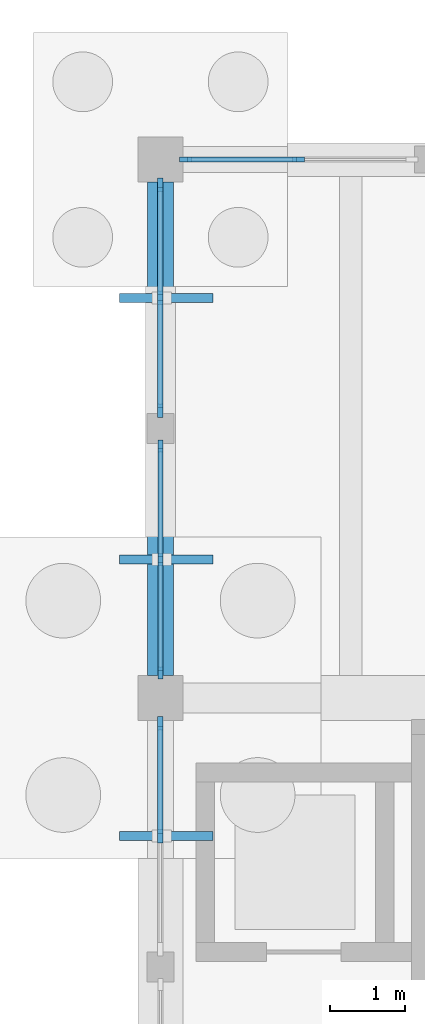
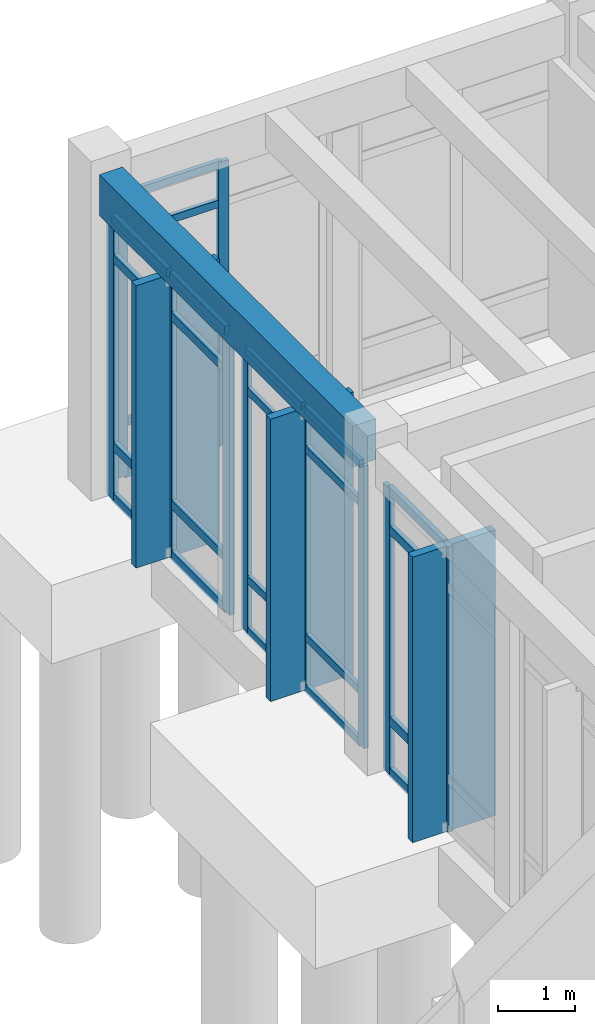
# One storey, part 27 of 93: 37 members, 1 beam, 4 elements without a shape of their own.
"""IFC4 building model written with IfcOpenShell, lengths in metres."""

from ifc_helpers import new_model, si_unit, direction, frame, origin, origin_2d, place, context, subcontext, project, spatial, rectangle, extrude, material, layer, layer_set, material_profile, profile_set, type_object, element, aggregate, save


model = new_model("IFC4")

# Units and contexts
model_context = context("Model", 3, precision=1e-05, world=origin(), true_north=direction((0.0, 1.0)))
body_context = subcontext(model_context, "Body", "Model", "MODEL_VIEW")
ifc_project = project(units=[si_unit("LENGTHUNIT", "METRE"), si_unit("AREAUNIT", "SQUARE_METRE"), si_unit("VOLUMEUNIT", "CUBIC_METRE"), si_unit("PLANEANGLEUNIT", "RADIAN"), si_unit("MASSUNIT", "GRAM", prefix="KILO")], contexts=[model_context])

# Site, building, storey
site_placement = place(None, origin())
site = spatial("IfcSite", under=ifc_project, at=site_placement, CompositionType="ELEMENT")
building_placement = place(site_placement, origin())
building = spatial("IfcBuilding", under=site, at=building_placement, Name="Koriwan Promenade Central Fire Station", CompositionType="ELEMENT")
storey_placement = place(building_placement, origin())
storey = spatial("IfcBuildingStorey", under=building, at=storey_placement, Name="L00", CompositionType="ELEMENT", Elevation=0.0)

# Beam
ifc_material_1 = material(Name="Concrete C35/45", Category="concrete")
ifc_material_profile_1 = material_profile(ifc_material_1, rectangle(XDim=0.35009765625, YDim=0.64990234375, at=origin_2d()), Name="RC-BM-350x650")
ifc_profile_set_1 = profile_set([ifc_material_profile_1], Name="Concrete C35/45")
beam_type = type_object("IfcBeamType", Name="Beam_RC-BM-350x650", PredefinedType="BEAM", material=ifc_profile_set_1)
beam_placement = place(storey_placement, frame((28.800048828125, 65.10009765625, 4.824951171875), z_axis=(0.0, 1.0, 0.0), x_axis=(-1.0, 0.0, 0.0)))
element("IfcBeam", 1, at=beam_placement, inside=storey, type_object=beam_type, Name="V4 L00 girder Y-365", PredefinedType="BEAM", context=body_context, shape_type="SweptSolid", body=[
    extrude(rectangle(XDim=0.35009765625, YDim=0.64990234375, at=origin_2d()), origin(), (0.0, 0.0, 1.0), 6.599853515625),
])

# Curtain wall, members
ifc_material_2 = material(Name="Aluminium EN AW-6063-T6 and low-E glazing", Category="aluminium")
ifc_layer_1 = layer(ifc_material_2, 0.159912109375, Name="Aluminium EN AW-6063-T6 and low-E glazing")
ifc_layer_set_1 = layer_set([ifc_layer_1], Name="Aluminium EN AW-6063-T6 and low-E glazing")
curtain_wall_type_1 = type_object("IfcCurtainWallType", Name="CurtainWall_24_310x449", PredefinedType="USERDEFINED", material=ifc_layer_set_1)
curtain_wall_1_placement = place(storey_placement, origin())
curtain_wall_1 = element("IfcCurtainWall", 2, at=curtain_wall_1_placement, inside=storey, type_object=curtain_wall_type_1, Name="V4 L00 unitised curtain wall 089", ObjectType="UNITISED CURTAIN WALL", PredefinedType="USERDEFINED")
ifc_material_3 = material(Name="Aluminium EN AW-6063-T6", Category="aluminium")
ifc_material_profile_2 = material_profile(ifc_material_3, rectangle(XDim=0.06494140625, YDim=0.159912109375, at=origin_2d()), Name="ALU-MUL-65x160")
ifc_profile_set_2 = profile_set([ifc_material_profile_2], Name="Aluminium EN AW-6063-T6")
member_type_1 = type_object("IfcMemberType", Name="CWMullion_ALU-MUL-65x160", PredefinedType="MULLION", material=ifc_profile_set_2)
member_1_placement = place(storey_placement, frame((28.800048828125, 65.132568359375, 0.0), z_axis=(0.0, 0.0, 1.0), x_axis=(-1.0, 0.0, 0.0)))
member_1 = element("IfcMember", 3, at=member_1_placement, type_object=member_type_1, Name="CW-24 mullion 1", PredefinedType="MULLION", context=body_context, shape_type="SweptSolid", body=[
    extrude(rectangle(XDim=0.06494140625, YDim=0.159912109375, at=origin_2d()), origin(), (0.0, 0.0, 1.0), 4.489990234375),
])
member_2_placement = place(storey_placement, frame((28.800048828125, 66.64990234375, 0.0), z_axis=(0.0, 0.0, 1.0), x_axis=(-1.0, 0.0, 0.0)))
member_2 = element("IfcMember", 4, at=member_2_placement, type_object=member_type_1, Name="CW-24 mullion 2", PredefinedType="MULLION", context=body_context, shape_type="SweptSolid", body=[
    extrude(rectangle(XDim=0.06494140625, YDim=0.159912109375, at=origin_2d()), origin(), (0.0, 0.0, 1.0), 4.489990234375),
])
member_3_placement = place(storey_placement, frame((28.800048828125, 68.16748046875, 0.0), z_axis=(0.0, 0.0, 1.0), x_axis=(-1.0, 0.0, 0.0)))
member_3 = element("IfcMember", 5, at=member_3_placement, type_object=member_type_1, Name="CW-24 mullion 3", PredefinedType="MULLION", context=body_context, shape_type="SweptSolid", body=[
    extrude(rectangle(XDim=0.06494140625, YDim=0.159912109375, at=origin_2d()), origin(), (0.0, 0.0, 1.0), 4.489990234375),
])

curtain_wall_2_placement = place(storey_placement, origin())
curtain_wall_2 = element("IfcCurtainWall", 6, at=curtain_wall_2_placement, inside=storey, type_object=curtain_wall_type_1, Name="V4 L00 unitised curtain wall 091", ObjectType="UNITISED CURTAIN WALL", PredefinedType="USERDEFINED")
member_4_placement = place(storey_placement, frame((29.132568359375, 72.0, 0.0), z_axis=(0.0, 0.0, 1.0), x_axis=(0.0, 1.0, 0.0)))
member_4 = element("IfcMember", 7, at=member_4_placement, type_object=member_type_1, Name="CW-24 mullion 1", PredefinedType="MULLION", context=body_context, shape_type="SweptSolid", body=[
    extrude(rectangle(XDim=0.06494140625, YDim=0.159912109375, at=origin_2d()), origin(), (0.0, 0.0, 1.0), 4.489990234375),
])
member_5_placement = place(storey_placement, frame((30.64990234375, 72.0, 0.0), z_axis=(0.0, 0.0, 1.0), x_axis=(0.0, 1.0, 0.0)))
member_5 = element("IfcMember", 8, at=member_5_placement, type_object=member_type_1, Name="CW-24 mullion 2", PredefinedType="MULLION", context=body_context, shape_type="SweptSolid", body=[
    extrude(rectangle(XDim=0.06494140625, YDim=0.159912109375, at=origin_2d()), origin(), (0.0, 0.0, 1.0), 4.489990234375),
])

ifc_layer_2 = layer(ifc_material_2, 0.159912109375, Name="Aluminium EN AW-6063-T6 and low-E glazing")
ifc_layer_set_2 = layer_set([ifc_layer_2], Name="Aluminium EN AW-6063-T6 and low-E glazing")
curtain_wall_type_2 = type_object("IfcCurtainWallType", Name="CurtainWall_34_310x454", PredefinedType="USERDEFINED", material=ifc_layer_set_2)
curtain_wall_3_placement = place(storey_placement, origin())
curtain_wall_3 = element("IfcCurtainWall", 9, at=curtain_wall_3_placement, inside=storey, type_object=curtain_wall_type_2, Name="V4 L00 unitised curtain wall 088", ObjectType="UNITISED CURTAIN WALL", PredefinedType="USERDEFINED")
ifc_material_profile_3 = material_profile(ifc_material_3, rectangle(XDim=0.074951171875, YDim=0.179931640625, at=origin_2d()), Name="ALU-MUL-75x180")
ifc_profile_set_3 = profile_set([ifc_material_profile_3], Name="Aluminium EN AW-6063-T6")
member_type_2 = type_object("IfcMemberType", Name="CWMullion_ALU-MUL-75x180", PredefinedType="MULLION", material=ifc_profile_set_3)
member_6_placement = place(storey_placement, frame((28.800048828125, 62.949951171875, 0.0), z_axis=(0.0, 0.0, 1.0), x_axis=(-1.0, 0.0, 0.0)))
member_6 = element("IfcMember", 10, at=member_6_placement, type_object=member_type_2, Name="CW-34 mullion 2", PredefinedType="MULLION", context=body_context, shape_type="SweptSolid", body=[
    extrude(rectangle(XDim=0.074951171875, YDim=0.179931640625, at=origin_2d()), origin(), (0.0, 0.0, 1.0), 4.5400390625),
])
member_7_placement = place(storey_placement, frame((28.800048828125, 64.46240234375, 0.0), z_axis=(0.0, 0.0, 1.0), x_axis=(-1.0, 0.0, 0.0)))
member_7 = element("IfcMember", 11, at=member_7_placement, type_object=member_type_2, Name="CW-34 mullion 3", PredefinedType="MULLION", context=body_context, shape_type="SweptSolid", body=[
    extrude(rectangle(XDim=0.074951171875, YDim=0.179931640625, at=origin_2d()), origin(), (0.0, 0.0, 1.0), 4.5400390625),
])

ifc_layer_3 = layer(ifc_material_2, 0.159912109375, Name="Aluminium EN AW-6063-T6 and low-E glazing")
ifc_layer_set_3 = layer_set([ifc_layer_3], Name="Aluminium EN AW-6063-T6 and low-E glazing")
curtain_wall_type_3 = type_object("IfcCurtainWallType", Name="CurtainWall_39_310x449", PredefinedType="USERDEFINED", material=ifc_layer_set_3)
curtain_wall_4_placement = place(storey_placement, origin())
curtain_wall_4 = element("IfcCurtainWall", 12, at=curtain_wall_4_placement, inside=storey, type_object=curtain_wall_type_3, Name="V4 L00 unitised curtain wall 090", ObjectType="UNITISED CURTAIN WALL", PredefinedType="USERDEFINED")
member_8_placement = place(storey_placement, frame((28.800048828125, 68.637451171875, 0.0), z_axis=(0.0, 0.0, 1.0), x_axis=(-1.0, 0.0, 0.0)))
member_8 = element("IfcMember", 13, at=member_8_placement, type_object=member_type_2, Name="CW-39 mullion 1", PredefinedType="MULLION", context=body_context, shape_type="SweptSolid", body=[
    extrude(rectangle(XDim=0.074951171875, YDim=0.179931640625, at=origin_2d()), origin(), (0.0, 0.0, 1.0), 4.489990234375),
])
member_9_placement = place(storey_placement, frame((28.800048828125, 70.14990234375, 0.0), z_axis=(0.0, 0.0, 1.0), x_axis=(-1.0, 0.0, 0.0)))
member_9 = element("IfcMember", 14, at=member_9_placement, type_object=member_type_2, Name="CW-39 mullion 2", PredefinedType="MULLION", context=body_context, shape_type="SweptSolid", body=[
    extrude(rectangle(XDim=0.074951171875, YDim=0.179931640625, at=origin_2d()), origin(), (0.0, 0.0, 1.0), 4.489990234375),
])
member_10_placement = place(storey_placement, frame((28.800048828125, 71.66259765625, 0.0), z_axis=(0.0, 0.0, 1.0), x_axis=(-1.0, 0.0, 0.0)))
member_10 = element("IfcMember", 15, at=member_10_placement, type_object=member_type_2, Name="CW-39 mullion 3", PredefinedType="MULLION", context=body_context, shape_type="SweptSolid", body=[
    extrude(rectangle(XDim=0.074951171875, YDim=0.179931640625, at=origin_2d()), origin(), (0.0, 0.0, 1.0), 4.489990234375),
])

# Member
ifc_material_profile_4 = material_profile(ifc_material_3, rectangle(XDim=0.06494140625, YDim=0.1201171875, at=origin_2d()), Name="ALU-TRN-65x120")
ifc_profile_set_4 = profile_set([ifc_material_profile_4], Name="Aluminium EN AW-6063-T6")
member_type_3 = type_object("IfcMemberType", Name="CWTransom_ALU-TRN-65x120", PredefinedType="USERDEFINED", material=ifc_profile_set_4)
member_11_placement = place(storey_placement, frame((28.800048828125, 65.1650390625, 0.032470703125), z_axis=(0.0, 1.0, 0.0), x_axis=(-1.0, 0.0, 0.0)))
member_11 = element("IfcMember", 16, at=member_11_placement, type_object=member_type_3, Name="CW-24 transom 1.1", ObjectType="TRANSOM", PredefinedType="USERDEFINED", context=body_context, shape_type="SweptSolid", body=[
    extrude(rectangle(XDim=0.06494140625, YDim=0.1201171875, at=origin_2d()), origin(), (0.0, 0.0, 1.0), 1.452392578125),
])

member_12_placement = place(storey_placement, frame((28.800048828125, 65.1650390625, 0.85009765625), z_axis=(0.0, 1.0, 0.0), x_axis=(-1.0, 0.0, 0.0)))
member_12 = element("IfcMember", 17, at=member_12_placement, type_object=member_type_3, Name="CW-24 transom 1.2", ObjectType="TRANSOM", PredefinedType="USERDEFINED", context=body_context, shape_type="SweptSolid", body=[
    extrude(rectangle(XDim=0.06494140625, YDim=0.1201171875, at=origin_2d()), origin(), (0.0, 0.0, 1.0), 1.452392578125),
])

member_13_placement = place(storey_placement, frame((28.800048828125, 65.1650390625, 3.840087890625), z_axis=(0.0, 1.0, 0.0), x_axis=(-1.0, 0.0, 0.0)))
member_13 = element("IfcMember", 18, at=member_13_placement, type_object=member_type_3, Name="CW-24 transom 1.3", ObjectType="TRANSOM", PredefinedType="USERDEFINED", context=body_context, shape_type="SweptSolid", body=[
    extrude(rectangle(XDim=0.06494140625, YDim=0.1201171875, at=origin_2d()), origin(), (0.0, 0.0, 1.0), 1.452392578125),
])

member_14_placement = place(storey_placement, frame((28.800048828125, 65.1650390625, 4.45751953125), z_axis=(0.0, 1.0, 0.0), x_axis=(-1.0, 0.0, 0.0)))
member_14 = element("IfcMember", 19, at=member_14_placement, type_object=member_type_3, Name="CW-24 transom 1.4", ObjectType="TRANSOM", PredefinedType="USERDEFINED", context=body_context, shape_type="SweptSolid", body=[
    extrude(rectangle(XDim=0.06494140625, YDim=0.1201171875, at=origin_2d()), origin(), (0.0, 0.0, 1.0), 1.452392578125),
])

member_15_placement = place(storey_placement, frame((28.800048828125, 66.6826171875, 0.032470703125), z_axis=(0.0, 1.0, 0.0), x_axis=(-1.0, 0.0, 0.0)))
member_15 = element("IfcMember", 20, at=member_15_placement, type_object=member_type_3, Name="CW-24 transom 2.1", ObjectType="TRANSOM", PredefinedType="USERDEFINED", context=body_context, shape_type="SweptSolid", body=[
    extrude(rectangle(XDim=0.06494140625, YDim=0.1201171875, at=origin_2d()), origin(), (0.0, 0.0, 1.0), 1.452392578125),
])

member_16_placement = place(storey_placement, frame((28.800048828125, 66.6826171875, 0.85009765625), z_axis=(0.0, 1.0, 0.0), x_axis=(-1.0, 0.0, 0.0)))
member_16 = element("IfcMember", 21, at=member_16_placement, type_object=member_type_3, Name="CW-24 transom 2.2", ObjectType="TRANSOM", PredefinedType="USERDEFINED", context=body_context, shape_type="SweptSolid", body=[
    extrude(rectangle(XDim=0.06494140625, YDim=0.1201171875, at=origin_2d()), origin(), (0.0, 0.0, 1.0), 1.452392578125),
])

member_17_placement = place(storey_placement, frame((28.800048828125, 66.6826171875, 3.840087890625), z_axis=(0.0, 1.0, 0.0), x_axis=(-1.0, 0.0, 0.0)))
member_17 = element("IfcMember", 22, at=member_17_placement, type_object=member_type_3, Name="CW-24 transom 2.3", ObjectType="TRANSOM", PredefinedType="USERDEFINED", context=body_context, shape_type="SweptSolid", body=[
    extrude(rectangle(XDim=0.06494140625, YDim=0.1201171875, at=origin_2d()), origin(), (0.0, 0.0, 1.0), 1.452392578125),
])

member_18_placement = place(storey_placement, frame((28.800048828125, 66.6826171875, 4.45751953125), z_axis=(0.0, 1.0, 0.0), x_axis=(-1.0, 0.0, 0.0)))
member_18 = element("IfcMember", 23, at=member_18_placement, type_object=member_type_3, Name="CW-24 transom 2.4", ObjectType="TRANSOM", PredefinedType="USERDEFINED", context=body_context, shape_type="SweptSolid", body=[
    extrude(rectangle(XDim=0.06494140625, YDim=0.1201171875, at=origin_2d()), origin(), (0.0, 0.0, 1.0), 1.452392578125),
])

aggregate(curtain_wall_1, [member_1, member_2, member_3, member_11, member_12, member_13, member_14, member_15, member_16, member_17, member_18])

member_19_placement = place(storey_placement, frame((29.1650390625, 72.0, 0.032470703125), z_axis=(1.0, 0.0, 0.0), x_axis=(0.0, 1.0, 0.0)))
member_19 = element("IfcMember", 24, at=member_19_placement, type_object=member_type_3, Name="CW-24 transom 1.1", ObjectType="TRANSOM", PredefinedType="USERDEFINED", context=body_context, shape_type="SweptSolid", body=[
    extrude(rectangle(XDim=0.06494140625, YDim=0.1201171875, at=origin_2d()), origin(), (0.0, 0.0, 1.0), 1.452392578125),
])

member_20_placement = place(storey_placement, frame((29.1650390625, 72.0, 0.85009765625), z_axis=(1.0, 0.0, 0.0), x_axis=(0.0, 1.0, 0.0)))
member_20 = element("IfcMember", 25, at=member_20_placement, type_object=member_type_3, Name="CW-24 transom 1.2", ObjectType="TRANSOM", PredefinedType="USERDEFINED", context=body_context, shape_type="SweptSolid", body=[
    extrude(rectangle(XDim=0.06494140625, YDim=0.1201171875, at=origin_2d()), origin(), (0.0, 0.0, 1.0), 1.452392578125),
])

member_21_placement = place(storey_placement, frame((29.1650390625, 72.0, 3.840087890625), z_axis=(1.0, 0.0, 0.0), x_axis=(0.0, 1.0, 0.0)))
member_21 = element("IfcMember", 26, at=member_21_placement, type_object=member_type_3, Name="CW-24 transom 1.3", ObjectType="TRANSOM", PredefinedType="USERDEFINED", context=body_context, shape_type="SweptSolid", body=[
    extrude(rectangle(XDim=0.06494140625, YDim=0.1201171875, at=origin_2d()), origin(), (0.0, 0.0, 1.0), 1.452392578125),
])

member_22_placement = place(storey_placement, frame((29.1650390625, 72.0, 4.45751953125), z_axis=(1.0, 0.0, 0.0), x_axis=(0.0, 1.0, 0.0)))
member_22 = element("IfcMember", 27, at=member_22_placement, type_object=member_type_3, Name="CW-24 transom 1.4", ObjectType="TRANSOM", PredefinedType="USERDEFINED", context=body_context, shape_type="SweptSolid", body=[
    extrude(rectangle(XDim=0.06494140625, YDim=0.1201171875, at=origin_2d()), origin(), (0.0, 0.0, 1.0), 1.452392578125),
])

aggregate(curtain_wall_2, [member_4, member_5, member_19, member_20, member_21, member_22])

ifc_material_profile_5 = material_profile(ifc_material_3, rectangle(XDim=0.074951171875, YDim=0.139892578125, at=origin_2d()), Name="ALU-TRN-75x140")
ifc_profile_set_5 = profile_set([ifc_material_profile_5], Name="Aluminium EN AW-6063-T6")
member_type_4 = type_object("IfcMemberType", Name="CWTransom_ALU-TRN-75x140", PredefinedType="USERDEFINED", material=ifc_profile_set_5)
member_23_placement = place(storey_placement, frame((28.800048828125, 62.987548828125, 0.03759765625), z_axis=(0.0, 1.0, 0.0), x_axis=(-1.0, 0.0, 0.0)))
member_23 = element("IfcMember", 28, at=member_23_placement, type_object=member_type_4, Name="CW-34 transom 2.1", ObjectType="TRANSOM", PredefinedType="USERDEFINED", context=body_context, shape_type="SweptSolid", body=[
    extrude(rectangle(XDim=0.074951171875, YDim=0.139892578125, at=origin_2d()), origin(), (0.0, 0.0, 1.0), 1.4375),
])

member_24_placement = place(storey_placement, frame((28.800048828125, 62.987548828125, 0.85009765625), z_axis=(0.0, 1.0, 0.0), x_axis=(-1.0, 0.0, 0.0)))
member_24 = element("IfcMember", 29, at=member_24_placement, type_object=member_type_4, Name="CW-34 transom 2.2", ObjectType="TRANSOM", PredefinedType="USERDEFINED", context=body_context, shape_type="SweptSolid", body=[
    extrude(rectangle(XDim=0.074951171875, YDim=0.139892578125, at=origin_2d()), origin(), (0.0, 0.0, 1.0), 1.4375),
])

member_25_placement = place(storey_placement, frame((28.800048828125, 62.987548828125, 3.889892578125), z_axis=(0.0, 1.0, 0.0), x_axis=(-1.0, 0.0, 0.0)))
member_25 = element("IfcMember", 30, at=member_25_placement, type_object=member_type_4, Name="CW-34 transom 2.3", ObjectType="TRANSOM", PredefinedType="USERDEFINED", context=body_context, shape_type="SweptSolid", body=[
    extrude(rectangle(XDim=0.074951171875, YDim=0.139892578125, at=origin_2d()), origin(), (0.0, 0.0, 1.0), 1.4375),
])

member_26_placement = place(storey_placement, frame((28.800048828125, 62.987548828125, 4.50244140625), z_axis=(0.0, 1.0, 0.0), x_axis=(-1.0, 0.0, 0.0)))
member_26 = element("IfcMember", 31, at=member_26_placement, type_object=member_type_4, Name="CW-34 transom 2.4", ObjectType="TRANSOM", PredefinedType="USERDEFINED", context=body_context, shape_type="SweptSolid", body=[
    extrude(rectangle(XDim=0.074951171875, YDim=0.139892578125, at=origin_2d()), origin(), (0.0, 0.0, 1.0), 1.4375),
])

aggregate(curtain_wall_3, [member_6, member_7, member_23, member_24, member_25, member_26])

member_27_placement = place(storey_placement, frame((28.800048828125, 68.675048828125, 0.03759765625), z_axis=(0.0, 1.0, 0.0), x_axis=(-1.0, 0.0, 0.0)))
member_27 = element("IfcMember", 32, at=member_27_placement, type_object=member_type_4, Name="CW-39 transom 1.1", ObjectType="TRANSOM", PredefinedType="USERDEFINED", context=body_context, shape_type="SweptSolid", body=[
    extrude(rectangle(XDim=0.074951171875, YDim=0.139892578125, at=origin_2d()), origin(), (0.0, 0.0, 1.0), 1.4375),
])

member_28_placement = place(storey_placement, frame((28.800048828125, 68.675048828125, 0.85009765625), z_axis=(0.0, 1.0, 0.0), x_axis=(-1.0, 0.0, 0.0)))
member_28 = element("IfcMember", 33, at=member_28_placement, type_object=member_type_4, Name="CW-39 transom 1.2", ObjectType="TRANSOM", PredefinedType="USERDEFINED", context=body_context, shape_type="SweptSolid", body=[
    extrude(rectangle(XDim=0.074951171875, YDim=0.139892578125, at=origin_2d()), origin(), (0.0, 0.0, 1.0), 1.4375),
])

member_29_placement = place(storey_placement, frame((28.800048828125, 68.675048828125, 3.840087890625), z_axis=(0.0, 1.0, 0.0), x_axis=(-1.0, 0.0, 0.0)))
member_29 = element("IfcMember", 34, at=member_29_placement, type_object=member_type_4, Name="CW-39 transom 1.3", ObjectType="TRANSOM", PredefinedType="USERDEFINED", context=body_context, shape_type="SweptSolid", body=[
    extrude(rectangle(XDim=0.074951171875, YDim=0.139892578125, at=origin_2d()), origin(), (0.0, 0.0, 1.0), 1.4375),
])

member_30_placement = place(storey_placement, frame((28.800048828125, 68.675048828125, 4.452392578125), z_axis=(0.0, 1.0, 0.0), x_axis=(-1.0, 0.0, 0.0)))
member_30 = element("IfcMember", 35, at=member_30_placement, type_object=member_type_4, Name="CW-39 transom 1.4", ObjectType="TRANSOM", PredefinedType="USERDEFINED", context=body_context, shape_type="SweptSolid", body=[
    extrude(rectangle(XDim=0.074951171875, YDim=0.139892578125, at=origin_2d()), origin(), (0.0, 0.0, 1.0), 1.4375),
])

member_31_placement = place(storey_placement, frame((28.800048828125, 70.1875, 0.03759765625), z_axis=(0.0, 1.0, 0.0), x_axis=(-1.0, 0.0, 0.0)))
member_31 = element("IfcMember", 36, at=member_31_placement, type_object=member_type_4, Name="CW-39 transom 2.1", ObjectType="TRANSOM", PredefinedType="USERDEFINED", context=body_context, shape_type="SweptSolid", body=[
    extrude(rectangle(XDim=0.074951171875, YDim=0.139892578125, at=origin_2d()), origin(), (0.0, 0.0, 1.0), 1.4375),
])

member_32_placement = place(storey_placement, frame((28.800048828125, 70.1875, 0.85009765625), z_axis=(0.0, 1.0, 0.0), x_axis=(-1.0, 0.0, 0.0)))
member_32 = element("IfcMember", 37, at=member_32_placement, type_object=member_type_4, Name="CW-39 transom 2.2", ObjectType="TRANSOM", PredefinedType="USERDEFINED", context=body_context, shape_type="SweptSolid", body=[
    extrude(rectangle(XDim=0.074951171875, YDim=0.139892578125, at=origin_2d()), origin(), (0.0, 0.0, 1.0), 1.4375),
])

member_33_placement = place(storey_placement, frame((28.800048828125, 70.1875, 3.840087890625), z_axis=(0.0, 1.0, 0.0), x_axis=(-1.0, 0.0, 0.0)))
member_33 = element("IfcMember", 38, at=member_33_placement, type_object=member_type_4, Name="CW-39 transom 2.3", ObjectType="TRANSOM", PredefinedType="USERDEFINED", context=body_context, shape_type="SweptSolid", body=[
    extrude(rectangle(XDim=0.074951171875, YDim=0.139892578125, at=origin_2d()), origin(), (0.0, 0.0, 1.0), 1.4375),
])

member_34_placement = place(storey_placement, frame((28.800048828125, 70.1875, 4.452392578125), z_axis=(0.0, 1.0, 0.0), x_axis=(-1.0, 0.0, 0.0)))
member_34 = element("IfcMember", 39, at=member_34_placement, type_object=member_type_4, Name="CW-39 transom 2.4", ObjectType="TRANSOM", PredefinedType="USERDEFINED", context=body_context, shape_type="SweptSolid", body=[
    extrude(rectangle(XDim=0.074951171875, YDim=0.139892578125, at=origin_2d()), origin(), (0.0, 0.0, 1.0), 1.4375),
])

aggregate(curtain_wall_4, [member_8, member_9, member_10, member_27, member_28, member_29, member_30, member_31, member_32, member_33, member_34])

# Members
ifc_material_4 = material(Name="Aluminium EN AW-6063-T6 terracotta finish", Category="masonry")
ifc_material_profile_6 = material_profile(ifc_material_4, rectangle(XDim=0.1201171875, YDim=1.25, at=origin_2d()), Name="FIN-TRC-120x1250")
ifc_profile_set_6 = profile_set([ifc_material_profile_6], Name="Aluminium EN AW-6063-T6 terracotta finish")
member_type_5 = type_object("IfcMemberType", Name="SolarFin_FIN-TRC-120x1250", PredefinedType="USERDEFINED", material=ifc_profile_set_6)
member_35_placement = place(storey_placement, frame((28.875, 62.949951171875, 0.0), z_axis=(0.0, 0.0, 1.0), x_axis=(0.0, -1.0, 0.0)))
element("IfcMember", 40, at=member_35_placement, inside=storey, type_object=member_type_5, Name="V4 L00 terracotta solar fin 004", ObjectType="SOLAR FIN", PredefinedType="USERDEFINED", context=body_context, shape_type="SweptSolid", body=[
    extrude(rectangle(XDim=0.1201171875, YDim=1.25, at=origin_2d()), origin(), (0.0, 0.0, 1.0), 4.5400390625),
])
for number, where, z_axis, x_axis, name in (
    (41, (28.875, 66.64990234375, 0.0), (0.0, 0.0, 1.0), (0.0, -1.0, 0.0), "V4 L00 terracotta solar fin 005"),
    (42, (28.875, 70.14990234375, 0.0), (0.0, 0.0, 1.0), (0.0, -1.0, 0.0), "V4 L00 terracotta solar fin 006"),
):
    element("IfcMember", number, at=place(storey_placement, frame(where, z_axis=z_axis, x_axis=x_axis)), inside=storey, type_object=member_type_5, Name=name, ObjectType="SOLAR FIN", PredefinedType="USERDEFINED", context=body_context, shape_type="SweptSolid", body=[
        extrude(rectangle(XDim=0.1201171875, YDim=1.25, at=origin_2d()), origin(), (0.0, 0.0, 1.0), 4.489990234375),
    ])

save(model, "model.ifc")
